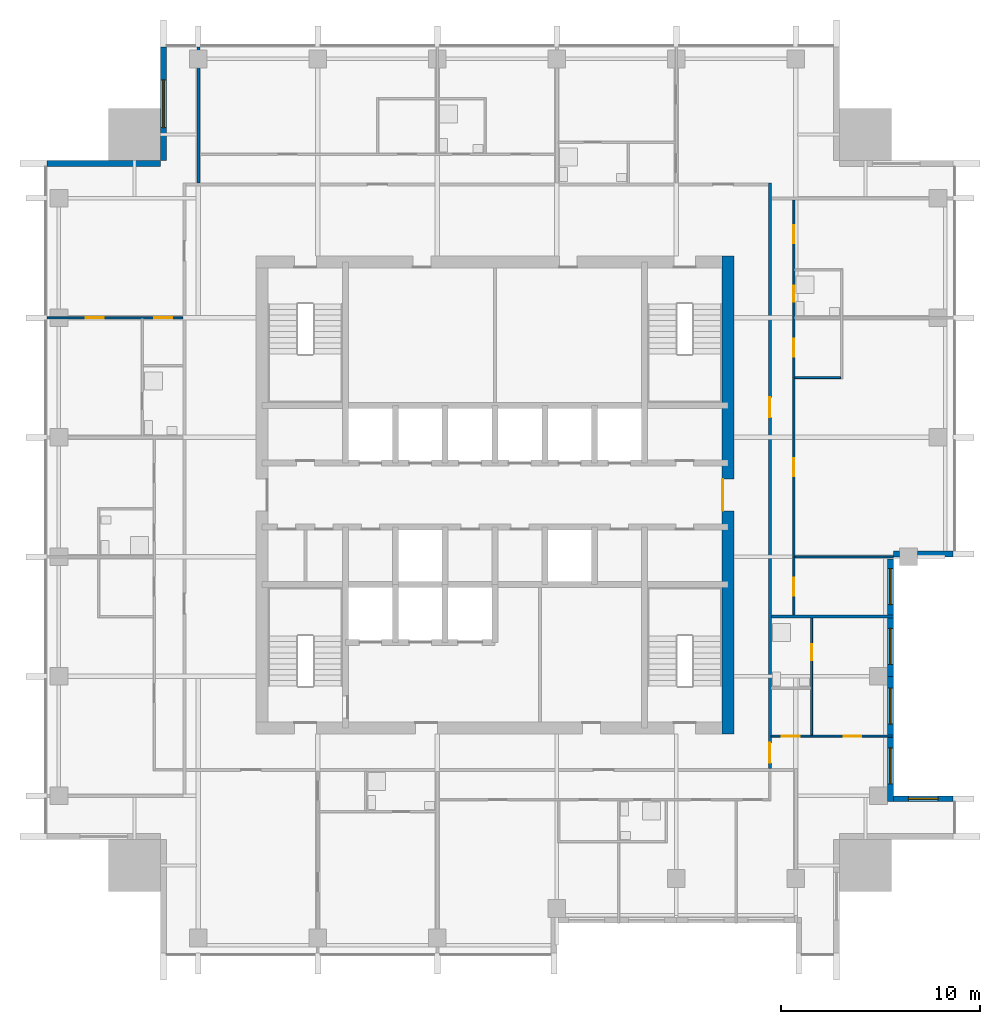
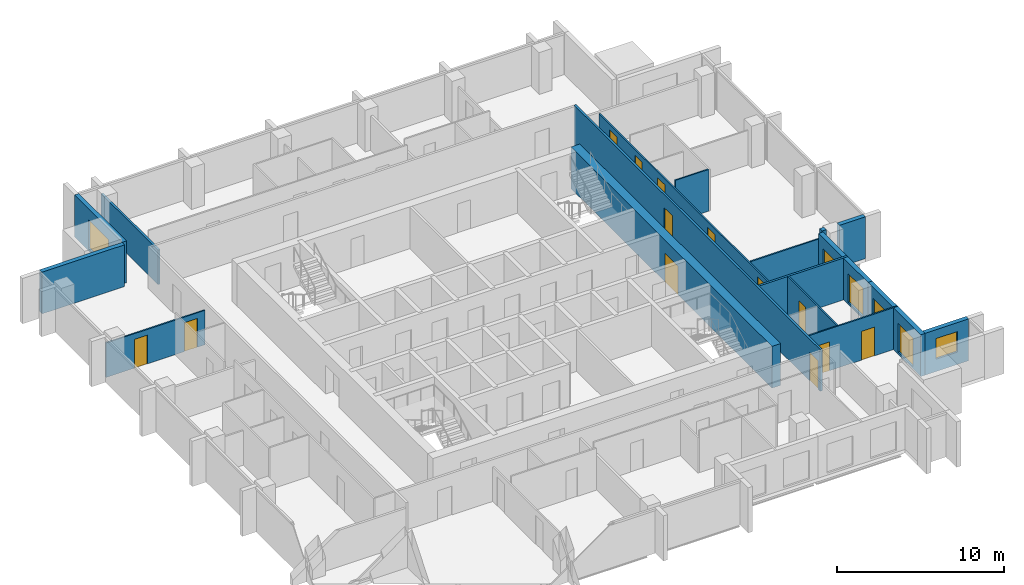
# One storey, part 6 of 10: 17 walls, 13 doors, 6 windows, 19 openings.
"""IFC4 building model written with IfcOpenShell, lengths in metres."""

from ifc_helpers import new_model, si_unit, direction, frame, frame_2d, origin, place, context, subcontext, project, spatial, rectangle, extrude, material, layer, layer_set, type_object, element, fill, save


model = new_model("IFC4")

# Units and contexts
model_context = context("Model", 3, precision=1e-05, world=origin(), true_north=direction((0.0, 1.0)))
body_context = subcontext(model_context, "Body", "Model", "MODEL_VIEW")
ifc_project = project(units=[si_unit("LENGTHUNIT", "METRE"), si_unit("AREAUNIT", "SQUARE_METRE"), si_unit("VOLUMEUNIT", "CUBIC_METRE"), si_unit("PLANEANGLEUNIT", "RADIAN"), si_unit("MASSUNIT", "GRAM", prefix="KILO")], contexts=[model_context])

# Site, building, storey
site_placement = place(None, origin())
site = spatial("IfcSite", under=ifc_project, at=site_placement, CompositionType="ELEMENT")
building_placement = place(site_placement, origin())
building = spatial("IfcBuilding", under=site, at=building_placement, Name="Amberfall Residences", CompositionType="ELEMENT")
storey_placement = place(building_placement, frame((0.0, 0.0, 213.39990234375)))
storey = spatial("IfcBuildingStorey", under=building, at=storey_placement, Name="L57", CompositionType="ELEMENT", Elevation=213.39990234375)

# Wall, opening, window
ifc_material_1 = material(Name="Pale stone cladding on insulated backing", Category="masonry")
ifc_layer_1 = layer(ifc_material_1, 0.300048828125)
ifc_layer_set_1 = layer_set([ifc_layer_1], Name="Bronze clad wall 300")
wall_type_1 = type_object("IfcWallType", Name="Bronze clad wall 300", PredefinedType="SOLIDWALL", material=ifc_layer_set_1)
wall_1_placement = place(storey_placement, frame((97.5, 30.25, 0.0), z_axis=(0.0, 0.0, 1.0), x_axis=(-1.0, 0.0, 0.0)))
wall_1 = element("IfcWall", 1, at=wall_1_placement, inside=storey, type_object=wall_type_1, Name="External wall L57 E", PredefinedType="SOLIDWALL", context=body_context, shape_type="SweptSolid", body=[
    extrude(rectangle(XDim=3.0, YDim=0.300048828125, at=frame_2d((1.5, 0.0))), origin(), (0.0, 0.0, 1.0), 3.050048828125),
])
opening_1_placement = place(wall_1_placement, frame((0.75, 0.0, 0.89990234375)))
opening_1 = element("IfcOpeningElement", 2, at=opening_1_placement, cuts=wall_1, Name="Opening WN1", PredefinedType="OPENING", context=body_context, shape_type="SweptSolid", body=[
    extrude(rectangle(XDim=1.5, YDim=1.5, at=frame_2d((0.75, 0.75))), frame((0.0, 0.159912109375, 0.0), z_axis=(0.0, -1.0, 0.0), x_axis=(1.0, 0.0, 0.0)), (0.0, 0.0, 1.0), 0.320068359375),
])
ifc_material_2 = material(Name="Bronze aluminium framed glazing", Category="aluminium")
window_type_1 = type_object("IfcWindowType", Name="Window 1500 x 1500 bronze", PartitioningType="DOUBLE_PANEL_VERTICAL", PredefinedType="WINDOW", material=ifc_material_2)
window_1_placement = place(opening_1_placement, origin())
window_1 = element("IfcWindow", 3, at=window_1_placement, inside=storey, type_object=window_type_1, Name="Window L57 E", OverallHeight=1.5, OverallWidth=1.5, PartitioningType="DOUBLE_PANEL_VERTICAL", PredefinedType="WINDOW", context=body_context, shape_type="SweptSolid", body=[
    extrude(rectangle(XDim=1.5, YDim=1.5, at=frame_2d((0.75, 0.75))), frame((0.0, 0.030029296875, 0.0), z_axis=(0.0, -1.0, 0.0), x_axis=(1.0, 0.0, 0.0)), (0.0, 0.0, 1.0), 0.06005859375),
])
fill(opening_1, window_1)

# Walls
wall_2_placement = place(storey_placement, frame((94.5, 42.550048828125, 0.0), z_axis=(0.0, 0.0, 1.0), x_axis=(1.0, 0.0, 0.0)))
element("IfcWall", 4, at=wall_2_placement, inside=storey, type_object=wall_type_1, Name="External wall L57 E", PredefinedType="SOLIDWALL", context=body_context, shape_type="SweptSolid", body=[
    extrude(rectangle(XDim=0.300048828125, YDim=0.300048828125, at=frame_2d((0.14990234375, 0.0))), origin(), (0.0, 0.0, 1.0), 3.050048828125),
])
wall_3_placement = place(storey_placement, frame((95.699951171875, 42.550048828125, 0.0), z_axis=(0.0, 0.0, 1.0), x_axis=(1.0, 0.0, 0.0)))
element("IfcWall", 5, at=wall_3_placement, inside=storey, type_object=wall_type_1, Name="External wall L57 E", PredefinedType="SOLIDWALL", context=body_context, shape_type="SweptSolid", body=[
    extrude(rectangle(XDim=1.800048828125, YDim=0.300048828125, at=frame_2d((0.89990234375, 0.0))), origin(), (0.0, 0.0, 1.0), 3.050048828125),
])

# Wall, opening, window
wall_4_placement = place(storey_placement, frame((57.85009765625, 68.0, 0.0), z_axis=(0.0, 0.0, 1.0), x_axis=(0.0, -1.0, 0.0)))
wall_4 = element("IfcWall", 6, at=wall_4_placement, inside=storey, type_object=wall_type_1, Name="External wall L57 NW", PredefinedType="SOLIDWALL", context=body_context, shape_type="SweptSolid", body=[
    extrude(rectangle(XDim=5.699951171875, YDim=0.300048828125, at=frame_2d((2.85009765625, 0.0))), origin(), (0.0, 0.0, 1.0), 3.050048828125),
])
opening_2_placement = place(wall_4_placement, frame((1.64990234375, 0.0, 0.14990234375)))
opening_2 = element("IfcOpeningElement", 7, at=opening_2_placement, cuts=wall_4, Name="Opening WN5", PredefinedType="OPENING", context=body_context, shape_type="SweptSolid", body=[
    extrude(rectangle(XDim=2.39990234375, YDim=2.10009765625, at=frame_2d((1.199951171875, 1.050048828125))), frame((0.0, 0.159912109375, 0.0), z_axis=(0.0, -1.0, 0.0), x_axis=(1.0, 0.0, 0.0)), (0.0, 0.0, 1.0), 0.320068359375),
])
window_type_2 = type_object("IfcWindowType", Name="Glazed opening 2400 x 2100 bronze", PartitioningType="DOUBLE_PANEL_VERTICAL", PredefinedType="WINDOW", material=ifc_material_2)
window_2_placement = place(opening_2_placement, origin())
window_2 = element("IfcWindow", 8, at=window_2_placement, inside=storey, type_object=window_type_2, Name="Window L57 NW", OverallHeight=2.10009765625, OverallWidth=2.39990234375, PartitioningType="DOUBLE_PANEL_VERTICAL", PredefinedType="WINDOW", context=body_context, shape_type="SweptSolid", body=[
    extrude(rectangle(XDim=2.39990234375, YDim=2.10009765625, at=frame_2d((1.199951171875, 1.050048828125))), frame((0.0, 0.030029296875, 0.0), z_axis=(0.0, -1.0, 0.0), x_axis=(1.0, 0.0, 0.0)), (0.0, 0.0, 1.0), 0.06005859375),
])
fill(opening_2, window_2)

# Wall
wall_5_placement = place(storey_placement, frame((57.699951171875, 62.14990234375, 0.0), z_axis=(0.0, 0.0, 1.0), x_axis=(-1.0, 0.0, 0.0)))
element("IfcWall", 9, at=wall_5_placement, inside=storey, type_object=wall_type_1, Name="External wall L57 NW", PredefinedType="SOLIDWALL", context=body_context, shape_type="SweptSolid", body=[
    extrude(rectangle(XDim=5.699951171875, YDim=0.300048828125, at=frame_2d((2.85009765625, 0.0))), origin(), (0.0, 0.0, 1.0), 3.050048828125),
])

# Wall, openings, windows
wall_6_placement = place(storey_placement, frame((94.35009765625, 30.10009765625, 0.0), z_axis=(0.0, 0.0, 1.0), x_axis=(0.0, 1.0, 0.0)))
wall_6 = element("IfcWall", 10, at=wall_6_placement, inside=storey, type_object=wall_type_1, Name="Stone wall L57 E", PredefinedType="SOLIDWALL", context=body_context, shape_type="SweptSolid", body=[
    extrude(rectangle(XDim=6.2998046875, YDim=0.300048828125, at=frame_2d((3.14990234375, 0.0))), origin(), (0.0, 0.0, 1.0), 3.050048828125),
])
opening_3_placement = place(wall_6_placement, frame((0.89990234375, 0.0, 0.14990234375)))
opening_3 = element("IfcOpeningElement", 11, at=opening_3_placement, cuts=wall_6, Name="Opening WN6", PredefinedType="OPENING", context=body_context, shape_type="SweptSolid", body=[
    extrude(rectangle(XDim=1.800048828125, YDim=2.10009765625, at=frame_2d((0.89990234375, 1.050048828125))), frame((0.0, 0.159912109375, 0.0), z_axis=(0.0, -1.0, 0.0), x_axis=(1.0, 0.0, 0.0)), (0.0, 0.0, 1.0), 0.320068359375),
])
opening_4_placement = place(wall_6_placement, frame((3.89990234375, 0.0, 0.14990234375)))
opening_4 = element("IfcOpeningElement", 12, at=opening_4_placement, cuts=wall_6, Name="Opening WN6", PredefinedType="OPENING", context=body_context, shape_type="SweptSolid", body=[
    extrude(rectangle(XDim=1.800048828125, YDim=2.10009765625, at=frame_2d((0.89990234375, 1.050048828125))), frame((0.0, 0.159912109375, 0.0), z_axis=(0.0, -1.0, 0.0), x_axis=(1.0, 0.0, 0.0)), (0.0, 0.0, 1.0), 0.320068359375),
])
window_type_3 = type_object("IfcWindowType", Name="Glazed opening 1800 x 2100 bronze", PartitioningType="DOUBLE_PANEL_VERTICAL", PredefinedType="WINDOW", material=ifc_material_2)
window_3_placement = place(opening_3_placement, origin())
window_3 = element("IfcWindow", 13, at=window_3_placement, inside=storey, type_object=window_type_3, Name="Window L57 E", OverallHeight=2.10009765625, OverallWidth=1.800048828125, PartitioningType="DOUBLE_PANEL_VERTICAL", PredefinedType="WINDOW", context=body_context, shape_type="SweptSolid", body=[
    extrude(rectangle(XDim=1.800048828125, YDim=2.10009765625, at=frame_2d((0.89990234375, 1.050048828125))), frame((0.0, 0.030029296875, 0.0), z_axis=(0.0, -1.0, 0.0), x_axis=(1.0, 0.0, 0.0)), (0.0, 0.0, 1.0), 0.06005859375),
])
fill(opening_3, window_3)
window_4_placement = place(opening_4_placement, origin())
window_4 = element("IfcWindow", 14, at=window_4_placement, inside=storey, type_object=window_type_3, Name="Window L57 E", OverallHeight=2.10009765625, OverallWidth=1.800048828125, PartitioningType="DOUBLE_PANEL_VERTICAL", PredefinedType="WINDOW", context=body_context, shape_type="SweptSolid", body=[
    extrude(rectangle(XDim=1.800048828125, YDim=2.10009765625, at=frame_2d((0.89990234375, 1.050048828125))), frame((0.0, 0.030029296875, 0.0), z_axis=(0.0, -1.0, 0.0), x_axis=(1.0, 0.0, 0.0)), (0.0, 0.0, 1.0), 0.06005859375),
])
fill(opening_4, window_4)

wall_7_placement = place(storey_placement, frame((94.35009765625, 36.39990234375, 0.0), z_axis=(0.0, 0.0, 1.0), x_axis=(0.0, 1.0, 0.0)))
wall_7 = element("IfcWall", 15, at=wall_7_placement, inside=storey, type_object=wall_type_1, Name="Stone wall L57 E", PredefinedType="SOLIDWALL", context=body_context, shape_type="SweptSolid", body=[
    extrude(rectangle(XDim=5.900146484375, YDim=0.300048828125, at=frame_2d((2.9501953125, 0.0))), origin(), (0.0, 0.0, 1.0), 3.050048828125),
])
opening_5_placement = place(wall_7_placement, frame((0.60009765625, 0.0, 0.14990234375)))
opening_5 = element("IfcOpeningElement", 16, at=opening_5_placement, cuts=wall_7, Name="Opening WN6", PredefinedType="OPENING", context=body_context, shape_type="SweptSolid", body=[
    extrude(rectangle(XDim=1.800048828125, YDim=2.10009765625, at=frame_2d((0.89990234375, 1.050048828125))), frame((0.0, 0.159912109375, 0.0), z_axis=(0.0, -1.0, 0.0), x_axis=(1.0, 0.0, 0.0)), (0.0, 0.0, 1.0), 0.320068359375),
])
opening_6_placement = place(wall_7_placement, frame((3.60009765625, 0.0, 0.14990234375)))
opening_6 = element("IfcOpeningElement", 17, at=opening_6_placement, cuts=wall_7, Name="Opening WN6", PredefinedType="OPENING", context=body_context, shape_type="SweptSolid", body=[
    extrude(rectangle(XDim=1.800048828125, YDim=2.10009765625, at=frame_2d((0.89990234375, 1.050048828125))), frame((0.0, 0.159912109375, 0.0), z_axis=(0.0, -1.0, 0.0), x_axis=(1.0, 0.0, 0.0)), (0.0, 0.0, 1.0), 0.320068359375),
])
window_5_placement = place(opening_5_placement, origin())
window_5 = element("IfcWindow", 18, at=window_5_placement, inside=storey, type_object=window_type_3, Name="Window L57 E", OverallHeight=2.10009765625, OverallWidth=1.800048828125, PartitioningType="DOUBLE_PANEL_VERTICAL", PredefinedType="WINDOW", context=body_context, shape_type="SweptSolid", body=[
    extrude(rectangle(XDim=1.800048828125, YDim=2.10009765625, at=frame_2d((0.89990234375, 1.050048828125))), frame((0.0, 0.030029296875, 0.0), z_axis=(0.0, -1.0, 0.0), x_axis=(1.0, 0.0, 0.0)), (0.0, 0.0, 1.0), 0.06005859375),
])
fill(opening_5, window_5)
window_6_placement = place(opening_6_placement, origin())
window_6 = element("IfcWindow", 19, at=window_6_placement, inside=storey, type_object=window_type_3, Name="Window L57 E", OverallHeight=2.10009765625, OverallWidth=1.800048828125, PartitioningType="DOUBLE_PANEL_VERTICAL", PredefinedType="WINDOW", context=body_context, shape_type="SweptSolid", body=[
    extrude(rectangle(XDim=1.800048828125, YDim=2.10009765625, at=frame_2d((0.89990234375, 1.050048828125))), frame((0.0, 0.030029296875, 0.0), z_axis=(0.0, -1.0, 0.0), x_axis=(1.0, 0.0, 0.0)), (0.0, 0.0, 1.0), 0.06005859375),
])
fill(opening_6, window_6)

# Wall, opening, door
ifc_material_3 = material(Name="Concrete C55", Category="concrete")
ifc_layer_2 = layer(ifc_material_3, 0.60009765625)
ifc_layer_set_2 = layer_set([ifc_layer_2], Name="Core wall 600 C55")
wall_type_2 = type_object("IfcWallType", Name="Core wall 600 C55", PredefinedType="SHEAR", material=ifc_layer_set_2)
wall_8_placement = place(storey_placement, frame((86.199951171875, 33.5, 0.0), z_axis=(0.0, 0.0, 1.0), x_axis=(0.0, 1.0, 0.0)))
wall_8 = element("IfcWall", 20, at=wall_8_placement, inside=storey, type_object=wall_type_2, Name="Core wall RW7 L57 OE", PredefinedType="SHEAR", context=body_context, shape_type="SweptSolid", body=[
    extrude(rectangle(XDim=24.0, YDim=0.60009765625, at=frame_2d((12.0, 0.0))), origin(), (0.0, 0.0, 1.0), 3.050048828125),
])
opening_7_placement = place(wall_8_placement, frame((11.199951171875, 0.0, 0.0)))
opening_7 = element("IfcOpeningElement", 21, at=opening_7_placement, cuts=wall_8, Name="Opening LB1", PredefinedType="OPENING", context=body_context, shape_type="SweptSolid", body=[
    extrude(rectangle(XDim=1.60009765625, YDim=2.10009765625, at=frame_2d((0.800048828125, 1.050048828125))), frame((0.0, 0.31005859375, 0.0), z_axis=(0.0, -1.0, 0.0), x_axis=(1.0, 0.0, 0.0)), (0.0, 0.0, 1.0), 0.6201171875),
])
ifc_material_4 = material(Name="Steel fire door set", Category="steel")
door_type_1 = type_object("IfcDoorType", Name="Lift lobby double door 1600 x 2100", OperationType="DOUBLE_DOOR_SINGLE_SWING", PredefinedType="DOOR", material=ifc_material_4)
door_1_placement = place(opening_7_placement, origin())
door_1 = element("IfcDoor", 22, at=door_1_placement, inside=storey, type_object=door_type_1, Name="LB1 L57", OperationType="DOUBLE_DOOR_SINGLE_SWING", OverallHeight=2.10009765625, OverallWidth=1.60009765625, PredefinedType="DOOR", context=body_context, shape_type="SweptSolid", body=[
    extrude(rectangle(XDim=1.60009765625, YDim=2.10009765625, at=frame_2d((0.800048828125, 1.050048828125))), frame((0.0, 0.28759765625, 0.0), z_axis=(0.0, -1.0, 0.0), x_axis=(1.0, 0.0, 0.0)), (0.0, 0.0, 1.0), 0.050048828125),
])
fill(opening_7, door_1)

# Wall, openings, doors
ifc_material_5 = material(Name="Gypsum board on metal stud")
ifc_layer_3 = layer(ifc_material_5, 0.10009765625)
ifc_layer_set_3 = layer_set([ifc_layer_3], Name="Flat partition 100")
wall_type_3 = type_object("IfcWallType", Name="Flat partition 100", PredefinedType="PARTITIONING", material=ifc_layer_set_3)
wall_9_placement = place(storey_placement, frame((89.5, 60.324951171875, 0.0), z_axis=(0.0, 0.0, 1.0), x_axis=(0.0, -1.0, 0.0)))
wall_9 = element("IfcWall", 23, at=wall_9_placement, inside=storey, type_object=wall_type_3, Name="Partition 016", PredefinedType="PARTITIONING", context=body_context, shape_type="SweptSolid", body=[
    extrude(rectangle(XDim=20.849853515625, YDim=0.10009765625, at=frame_2d((10.4248046875, 0.0))), origin(), (0.0, 0.0, 1.0), 2.510009765625),
])
opening_8_placement = place(wall_9_placement, frame((12.97509765625, 0.0, 0.0)))
opening_8 = element("IfcOpeningElement", 24, at=opening_8_placement, cuts=wall_9, Name="Opening D41", PredefinedType="OPENING", context=body_context, shape_type="SweptSolid", body=[
    extrude(rectangle(XDim=0.89990234375, YDim=2.10009765625, at=frame_2d((0.449951171875, 1.050048828125))), frame((0.0, 0.06005859375, 0.0), z_axis=(0.0, -1.0, 0.0), x_axis=(1.0, 0.0, 0.0)), (0.0, 0.0, 1.0), 0.1201171875),
])
opening_9_placement = place(wall_9_placement, frame((6.97509765625, 0.0, 0.0)))
opening_9 = element("IfcOpeningElement", 25, at=opening_9_placement, cuts=wall_9, Name="Opening D41", PredefinedType="OPENING", context=body_context, shape_type="SweptSolid", body=[
    extrude(rectangle(XDim=0.89990234375, YDim=2.10009765625, at=frame_2d((0.449951171875, 1.050048828125))), frame((0.0, 0.06005859375, 0.0), z_axis=(0.0, -1.0, 0.0), x_axis=(1.0, 0.0, 0.0)), (0.0, 0.0, 1.0), 0.1201171875),
])
opening_10_placement = place(wall_9_placement, frame((18.97509765625, 0.0, 0.0)))
opening_10 = element("IfcOpeningElement", 26, at=opening_10_placement, cuts=wall_9, Name="Opening D41", PredefinedType="OPENING", context=body_context, shape_type="SweptSolid", body=[
    extrude(rectangle(XDim=0.89990234375, YDim=2.10009765625, at=frame_2d((0.449951171875, 1.050048828125))), frame((0.0, 0.06005859375, 0.0), z_axis=(0.0, -1.0, 0.0), x_axis=(1.0, 0.0, 0.0)), (0.0, 0.0, 1.0), 0.1201171875),
])
opening_11_placement = place(wall_9_placement, frame((1.27490234375, 0.0, 0.0)))
opening_11 = element("IfcOpeningElement", 27, at=opening_11_placement, cuts=wall_9, Name="Opening D41", PredefinedType="OPENING", context=body_context, shape_type="SweptSolid", body=[
    extrude(rectangle(XDim=0.89990234375, YDim=2.10009765625, at=frame_2d((0.449951171875, 1.050048828125))), frame((0.0, 0.06005859375, 0.0), z_axis=(0.0, -1.0, 0.0), x_axis=(1.0, 0.0, 0.0)), (0.0, 0.0, 1.0), 0.1201171875),
])
opening_12_placement = place(wall_9_placement, frame((4.324951171875, 0.0, 0.0)))
opening_12 = element("IfcOpeningElement", 28, at=opening_12_placement, cuts=wall_9, Name="Opening D42", PredefinedType="OPENING", context=body_context, shape_type="SweptSolid", body=[
    extrude(rectangle(XDim=0.800048828125, YDim=2.10009765625, at=frame_2d((0.39990234375, 1.050048828125))), frame((0.0, 0.06005859375, 0.0), z_axis=(0.0, -1.0, 0.0), x_axis=(1.0, 0.0, 0.0)), (0.0, 0.0, 1.0), 0.1201171875),
])
ifc_material_6 = material(Name="Timber", Category="wood")
door_type_2 = type_object("IfcDoorType", Name="Bathroom door 800 x 2100", OperationType="SINGLE_SWING_LEFT", PredefinedType="DOOR", material=ifc_material_6)
door_2_placement = place(opening_12_placement, origin())
door_2 = element("IfcDoor", 29, at=door_2_placement, inside=storey, type_object=door_type_2, Name="Door 5704 bath1", OperationType="SINGLE_SWING_LEFT", OverallHeight=2.10009765625, OverallWidth=0.800048828125, PredefinedType="DOOR", context=body_context, shape_type="SweptSolid", body=[
    extrude(rectangle(XDim=0.800048828125, YDim=2.10009765625, at=frame_2d((0.39990234375, 1.050048828125))), frame((0.0, 0.02490234375, 0.0), z_axis=(0.0, -1.0, 0.0), x_axis=(1.0, 0.0, 0.0)), (0.0, 0.0, 1.0), 0.050048828125),
])
fill(opening_12, door_2)
door_type_3 = type_object("IfcDoorType", Name="Internal door 900 x 2100", OperationType="SINGLE_SWING_LEFT", PredefinedType="DOOR", material=ifc_material_6)
door_3_placement = place(opening_8_placement, origin())
door_3 = element("IfcDoor", 30, at=door_3_placement, inside=storey, type_object=door_type_3, Name="Door 5704 living", OperationType="SINGLE_SWING_LEFT", OverallHeight=2.10009765625, OverallWidth=0.89990234375, PredefinedType="DOOR", context=body_context, shape_type="SweptSolid", body=[
    extrude(rectangle(XDim=0.89990234375, YDim=2.10009765625, at=frame_2d((0.449951171875, 1.050048828125))), frame((0.0, 0.02490234375, 0.0), z_axis=(0.0, -1.0, 0.0), x_axis=(1.0, 0.0, 0.0)), (0.0, 0.0, 1.0), 0.050048828125),
])
fill(opening_8, door_3)
door_4_placement = place(opening_9_placement, origin())
door_4 = element("IfcDoor", 31, at=door_4_placement, inside=storey, type_object=door_type_3, Name="Door 5704 kitchen", OperationType="SINGLE_SWING_LEFT", OverallHeight=2.10009765625, OverallWidth=0.89990234375, PredefinedType="DOOR", context=body_context, shape_type="SweptSolid", body=[
    extrude(rectangle(XDim=0.89990234375, YDim=2.10009765625, at=frame_2d((0.449951171875, 1.050048828125))), frame((0.0, 0.02490234375, 0.0), z_axis=(0.0, -1.0, 0.0), x_axis=(1.0, 0.0, 0.0)), (0.0, 0.0, 1.0), 0.050048828125),
])
fill(opening_9, door_4)
door_5_placement = place(opening_10_placement, origin())
door_5 = element("IfcDoor", 32, at=door_5_placement, inside=storey, type_object=door_type_3, Name="Door 5704 bedroom1", OperationType="SINGLE_SWING_LEFT", OverallHeight=2.10009765625, OverallWidth=0.89990234375, PredefinedType="DOOR", context=body_context, shape_type="SweptSolid", body=[
    extrude(rectangle(XDim=0.89990234375, YDim=2.10009765625, at=frame_2d((0.449951171875, 1.050048828125))), frame((0.0, 0.02490234375, 0.0), z_axis=(0.0, -1.0, 0.0), x_axis=(1.0, 0.0, 0.0)), (0.0, 0.0, 1.0), 0.050048828125),
])
fill(opening_10, door_5)
door_6_placement = place(opening_11_placement, origin())
door_6 = element("IfcDoor", 33, at=door_6_placement, inside=storey, type_object=door_type_3, Name="Door 5704 bedroom2", OperationType="SINGLE_SWING_LEFT", OverallHeight=2.10009765625, OverallWidth=0.89990234375, PredefinedType="DOOR", context=body_context, shape_type="SweptSolid", body=[
    extrude(rectangle(XDim=0.89990234375, YDim=2.10009765625, at=frame_2d((0.449951171875, 1.050048828125))), frame((0.0, 0.02490234375, 0.0), z_axis=(0.0, -1.0, 0.0), x_axis=(1.0, 0.0, 0.0)), (0.0, 0.0, 1.0), 0.050048828125),
])
fill(opening_11, door_6)

# Wall, opening, door
wall_10_placement = place(storey_placement, frame((90.39990234375, 33.449951171875, 0.0), z_axis=(0.0, 0.0, 1.0), x_axis=(0.0, 1.0, 0.0)))
wall_10 = element("IfcWall", 34, at=wall_10_placement, inside=storey, type_object=wall_type_3, Name="Partition 017", PredefinedType="PARTITIONING", context=body_context, shape_type="SweptSolid", body=[
    extrude(rectangle(XDim=5.875, YDim=0.10009765625, at=frame_2d((2.9375, 0.0))), origin(), (0.0, 0.0, 1.0), 3.050048828125),
])
opening_13_placement = place(wall_10_placement, frame((3.75, 0.0, 0.0)))
opening_13 = element("IfcOpeningElement", 35, at=opening_13_placement, cuts=wall_10, Name="Opening D42", PredefinedType="OPENING", context=body_context, shape_type="SweptSolid", body=[
    extrude(rectangle(XDim=0.800048828125, YDim=2.10009765625, at=frame_2d((0.39990234375, 1.050048828125))), frame((0.0, 0.06005859375, 0.0), z_axis=(0.0, -1.0, 0.0), x_axis=(1.0, 0.0, 0.0)), (0.0, 0.0, 1.0), 0.1201171875),
])
door_7_placement = place(opening_13_placement, origin())
door_7 = element("IfcDoor", 36, at=door_7_placement, inside=storey, type_object=door_type_2, Name="Door 5703 bath1", OperationType="SINGLE_SWING_LEFT", OverallHeight=2.10009765625, OverallWidth=0.800048828125, PredefinedType="DOOR", context=body_context, shape_type="SweptSolid", body=[
    extrude(rectangle(XDim=0.800048828125, YDim=2.10009765625, at=frame_2d((0.39990234375, 1.050048828125))), frame((0.0, 0.02490234375, 0.0), z_axis=(0.0, -1.0, 0.0), x_axis=(1.0, 0.0, 0.0)), (0.0, 0.0, 1.0), 0.050048828125),
])
fill(opening_13, door_7)

# Wall, openings, doors
wall_11_placement = place(storey_placement, frame((58.824951171875, 54.39990234375, 0.0), z_axis=(0.0, 0.0, 1.0), x_axis=(-1.0, 0.0, 0.0)))
wall_11 = element("IfcWall", 37, at=wall_11_placement, inside=storey, type_object=wall_type_3, Name="Partition 023", PredefinedType="PARTITIONING", context=body_context, shape_type="SweptSolid", body=[
    extrude(rectangle(XDim=6.824951171875, YDim=0.10009765625, at=frame_2d((3.41259765625, 0.0))), origin(), (0.0, 0.0, 1.0), 2.51611328125),
])
opening_14_placement = place(wall_11_placement, frame((0.52490234375, 0.0, 0.0)))
opening_14 = element("IfcOpeningElement", 38, at=opening_14_placement, cuts=wall_11, Name="Opening D41", PredefinedType="OPENING", context=body_context, shape_type="SweptSolid", body=[
    extrude(rectangle(XDim=0.89990234375, YDim=2.10009765625, at=frame_2d((0.449951171875, 1.050048828125))), frame((0.0, 0.06005859375, 0.0), z_axis=(0.0, -1.0, 0.0), x_axis=(1.0, 0.0, 0.0)), (0.0, 0.0, 1.0), 0.1201171875),
])
opening_15_placement = place(wall_11_placement, frame((3.97509765625, 0.0, 0.0)))
opening_15 = element("IfcOpeningElement", 39, at=opening_15_placement, cuts=wall_11, Name="Opening D41", PredefinedType="OPENING", context=body_context, shape_type="SweptSolid", body=[
    extrude(rectangle(XDim=0.89990234375, YDim=2.10009765625, at=frame_2d((0.449951171875, 1.050048828125))), frame((0.0, 0.06005859375, 0.0), z_axis=(0.0, -1.0, 0.0), x_axis=(1.0, 0.0, 0.0)), (0.0, 0.0, 1.0), 0.1201171875),
])
door_8_placement = place(opening_14_placement, origin())
door_8 = element("IfcDoor", 40, at=door_8_placement, inside=storey, type_object=door_type_3, Name="Door 5708 kitchen", OperationType="SINGLE_SWING_LEFT", OverallHeight=2.10009765625, OverallWidth=0.89990234375, PredefinedType="DOOR", context=body_context, shape_type="SweptSolid", body=[
    extrude(rectangle(XDim=0.89990234375, YDim=2.10009765625, at=frame_2d((0.449951171875, 1.050048828125))), frame((0.0, 0.02490234375, 0.0), z_axis=(0.0, -1.0, 0.0), x_axis=(1.0, 0.0, 0.0)), (0.0, 0.0, 1.0), 0.050048828125),
])
fill(opening_14, door_8)
door_9_placement = place(opening_15_placement, origin())
door_9 = element("IfcDoor", 41, at=door_9_placement, inside=storey, type_object=door_type_3, Name="Door 5708 bedroom1", OperationType="SINGLE_SWING_LEFT", OverallHeight=2.10009765625, OverallWidth=0.89990234375, PredefinedType="DOOR", context=body_context, shape_type="SweptSolid", body=[
    extrude(rectangle(XDim=0.89990234375, YDim=2.10009765625, at=frame_2d((0.449951171875, 1.050048828125))), frame((0.0, 0.02490234375, 0.0), z_axis=(0.0, -1.0, 0.0), x_axis=(1.0, 0.0, 0.0)), (0.0, 0.0, 1.0), 0.050048828125),
])
fill(opening_15, door_9)

# Walls
wall_12_placement = place(storey_placement, frame((89.550048828125, 51.39990234375, 0.0), z_axis=(0.0, 0.0, 1.0), x_axis=(1.0, 0.0, 0.0)))
element("IfcWall", 42, at=wall_12_placement, inside=storey, type_object=wall_type_3, Name="Partition 026", PredefinedType="PARTITIONING", context=body_context, shape_type="SweptSolid", body=[
    extrude(rectangle(XDim=2.300048828125, YDim=0.10009765625, at=frame_2d((1.14990234375, 0.0))), origin(), (0.0, 0.0, 1.0), 3.050048828125),
])
wall_13_placement = place(storey_placement, frame((89.550048828125, 42.39990234375, 0.0), z_axis=(0.0, 0.0, 1.0), x_axis=(1.0, 0.0, 0.0)))
element("IfcWall", 43, at=wall_13_placement, inside=storey, type_object=wall_type_3, Name="Partition 029", PredefinedType="PARTITIONING", context=body_context, shape_type="SweptSolid", body=[
    extrude(rectangle(XDim=4.949951171875, YDim=0.10009765625, at=frame_2d((2.47509765625, 0.0))), origin(), (0.0, 0.0, 1.0), 2.590087890625),
])

# Wall, openings, doors
wall_14_placement = place(storey_placement, frame((88.375, 33.39990234375, 0.0), z_axis=(0.0, 0.0, 1.0), x_axis=(1.0, 0.0, 0.0)))
wall_14 = element("IfcWall", 44, at=wall_14_placement, inside=storey, type_object=wall_type_3, Name="Partition 032", PredefinedType="PARTITIONING", context=body_context, shape_type="SweptSolid", body=[
    extrude(rectangle(XDim=6.125, YDim=0.10009765625, at=frame_2d((3.0625, 0.0))), origin(), (0.0, 0.0, 1.0), 3.050048828125),
])
opening_16_placement = place(wall_14_placement, frame((0.52490234375, 0.0, 0.0)))
opening_16 = element("IfcOpeningElement", 45, at=opening_16_placement, cuts=wall_14, Name="Opening D41", PredefinedType="OPENING", context=body_context, shape_type="SweptSolid", body=[
    extrude(rectangle(XDim=0.89990234375, YDim=2.10009765625, at=frame_2d((0.449951171875, 1.050048828125))), frame((0.0, 0.06005859375, 0.0), z_axis=(0.0, -1.0, 0.0), x_axis=(1.0, 0.0, 0.0)), (0.0, 0.0, 1.0), 0.1201171875),
])
opening_17_placement = place(wall_14_placement, frame((3.625, 0.0, 0.0)))
opening_17 = element("IfcOpeningElement", 46, at=opening_17_placement, cuts=wall_14, Name="Opening D41", PredefinedType="OPENING", context=body_context, shape_type="SweptSolid", body=[
    extrude(rectangle(XDim=0.89990234375, YDim=2.10009765625, at=frame_2d((0.449951171875, 1.050048828125))), frame((0.0, 0.06005859375, 0.0), z_axis=(0.0, -1.0, 0.0), x_axis=(1.0, 0.0, 0.0)), (0.0, 0.0, 1.0), 0.1201171875),
])
door_10_placement = place(opening_16_placement, origin())
door_10 = element("IfcDoor", 47, at=door_10_placement, inside=storey, type_object=door_type_3, Name="Door 5703 kitchen", OperationType="SINGLE_SWING_LEFT", OverallHeight=2.10009765625, OverallWidth=0.89990234375, PredefinedType="DOOR", context=body_context, shape_type="SweptSolid", body=[
    extrude(rectangle(XDim=0.89990234375, YDim=2.10009765625, at=frame_2d((0.449951171875, 1.050048828125))), frame((0.0, 0.02490234375, 0.0), z_axis=(0.0, -1.0, 0.0), x_axis=(1.0, 0.0, 0.0)), (0.0, 0.0, 1.0), 0.050048828125),
])
fill(opening_16, door_10)
door_11_placement = place(opening_17_placement, origin())
door_11 = element("IfcDoor", 48, at=door_11_placement, inside=storey, type_object=door_type_3, Name="Door 5703 bedroom1", OperationType="SINGLE_SWING_LEFT", OverallHeight=2.10009765625, OverallWidth=0.89990234375, PredefinedType="DOOR", context=body_context, shape_type="SweptSolid", body=[
    extrude(rectangle(XDim=0.89990234375, YDim=2.10009765625, at=frame_2d((0.449951171875, 1.050048828125))), frame((0.0, 0.02490234375, 0.0), z_axis=(0.0, -1.0, 0.0), x_axis=(1.0, 0.0, 0.0)), (0.0, 0.0, 1.0), 0.050048828125),
])
fill(opening_17, door_11)

# Wall
ifc_material_7 = material(Name="Blockwork, plastered", Category="masonry")
ifc_layer_4 = layer(ifc_material_7, 0.14990234375)
ifc_layer_set_4 = layer_set([ifc_layer_4], Name="Flat separating wall 150")
wall_type_4 = type_object("IfcWallType", Name="Flat separating wall 150", PredefinedType="PARTITIONING", material=ifc_layer_set_4)
wall_15_placement = place(storey_placement, frame((59.60009765625, 61.175048828125, 0.0), z_axis=(0.0, 0.0, 1.0), x_axis=(0.0, 1.0, 0.0)))
element("IfcWall", 49, at=wall_15_placement, inside=storey, type_object=wall_type_4, Name="Separating wall 038", PredefinedType="PARTITIONING", context=body_context, shape_type="SweptSolid", body=[
    extrude(rectangle(XDim=6.824951171875, YDim=0.14990234375, at=frame_2d((3.41259765625, 0.0))), origin(), (0.0, 0.0, 1.0), 2.510009765625),
])

# Wall, openings, doors
wall_16_placement = place(storey_placement, frame((88.300048828125, 61.175048828125, 0.0), z_axis=(0.0, 0.0, 1.0), x_axis=(0.0, -1.0, 0.0)))
wall_16 = element("IfcWall", 50, at=wall_16_placement, inside=storey, type_object=wall_type_4, Name="Separating wall 041", PredefinedType="PARTITIONING", context=body_context, shape_type="SweptSolid", body=[
    extrude(rectangle(XDim=29.400146484375, YDim=0.14990234375, at=frame_2d((14.7001953125, 0.0))), origin(), (0.0, 0.0, 1.0), 3.050048828125),
])
opening_18_placement = place(wall_16_placement, frame((28.125, 0.0, 0.0)))
opening_18 = element("IfcOpeningElement", 51, at=opening_18_placement, cuts=wall_16, Name="Opening D40", PredefinedType="OPENING", context=body_context, shape_type="SweptSolid", body=[
    extrude(rectangle(XDim=1.0, YDim=2.10009765625, at=frame_2d((0.5, 1.050048828125))), frame((0.0, 0.0849609375, 0.0), z_axis=(0.0, -1.0, 0.0), x_axis=(1.0, 0.0, 0.0)), (0.0, 0.0, 1.0), 0.169921875),
])
opening_19_placement = place(wall_16_placement, frame((10.77490234375, 0.0, 0.0)))
opening_19 = element("IfcOpeningElement", 52, at=opening_19_placement, cuts=wall_16, Name="Opening D40", PredefinedType="OPENING", context=body_context, shape_type="SweptSolid", body=[
    extrude(rectangle(XDim=1.0, YDim=2.10009765625, at=frame_2d((0.5, 1.050048828125))), frame((0.0, 0.0849609375, 0.0), z_axis=(0.0, -1.0, 0.0), x_axis=(1.0, 0.0, 0.0)), (0.0, 0.0, 1.0), 0.169921875),
])
ifc_material_8 = material(Name="Timber, fire-rated", Category="wood")
door_type_4 = type_object("IfcDoorType", Name="Flat entrance door FD60 1000 x 2100", OperationType="SINGLE_SWING_LEFT", PredefinedType="DOOR", material=ifc_material_8)
door_12_placement = place(opening_18_placement, origin())
door_12 = element("IfcDoor", 53, at=door_12_placement, inside=storey, type_object=door_type_4, Name="Door 5703 entrance", OperationType="SINGLE_SWING_LEFT", OverallHeight=2.10009765625, OverallWidth=1.0, PredefinedType="DOOR", context=body_context, shape_type="SweptSolid", body=[
    extrude(rectangle(XDim=1.0, YDim=2.10009765625, at=frame_2d((0.5, 1.050048828125))), frame((0.0, 0.02490234375, 0.0), z_axis=(0.0, -1.0, 0.0), x_axis=(1.0, 0.0, 0.0)), (0.0, 0.0, 1.0), 0.050048828125),
])
fill(opening_18, door_12)
door_13_placement = place(opening_19_placement, origin())
door_13 = element("IfcDoor", 54, at=door_13_placement, inside=storey, type_object=door_type_4, Name="Door 5704 entrance", OperationType="SINGLE_SWING_LEFT", OverallHeight=2.10009765625, OverallWidth=1.0, PredefinedType="DOOR", context=body_context, shape_type="SweptSolid", body=[
    extrude(rectangle(XDim=1.0, YDim=2.10009765625, at=frame_2d((0.5, 1.050048828125))), frame((0.0, 0.02490234375, 0.0), z_axis=(0.0, -1.0, 0.0), x_axis=(1.0, 0.0, 0.0)), (0.0, 0.0, 1.0), 0.050048828125),
])
fill(opening_19, door_13)

# Wall
wall_17_placement = place(storey_placement, frame((88.375, 39.39990234375, 0.0), z_axis=(0.0, 0.0, 1.0), x_axis=(1.0, 0.0, 0.0)))
element("IfcWall", 55, at=wall_17_placement, inside=storey, type_object=wall_type_4, Name="Separating wall 046", PredefinedType="PARTITIONING", context=body_context, shape_type="SweptSolid", body=[
    extrude(rectangle(XDim=6.125, YDim=0.14990234375, at=frame_2d((3.0625, 0.0))), origin(), (0.0, 0.0, 1.0), 3.050048828125),
])

save(model, "model.ifc")
